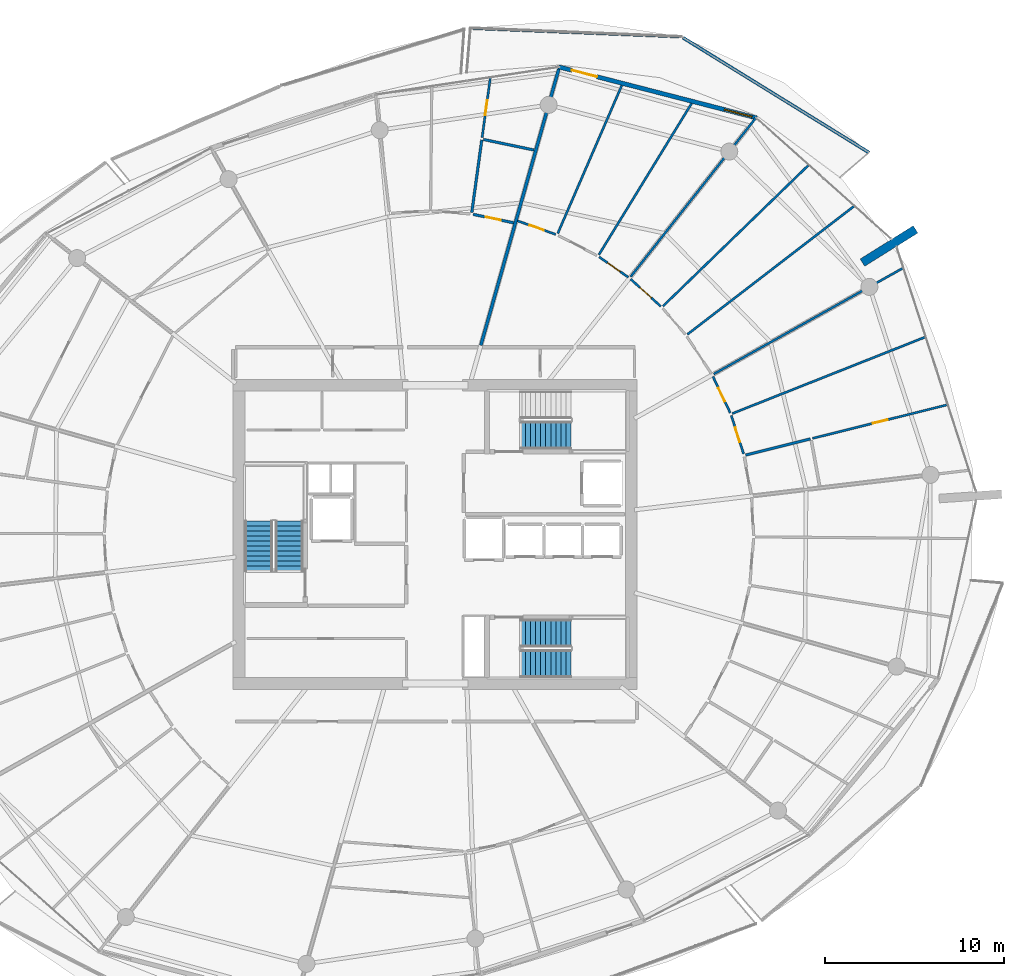
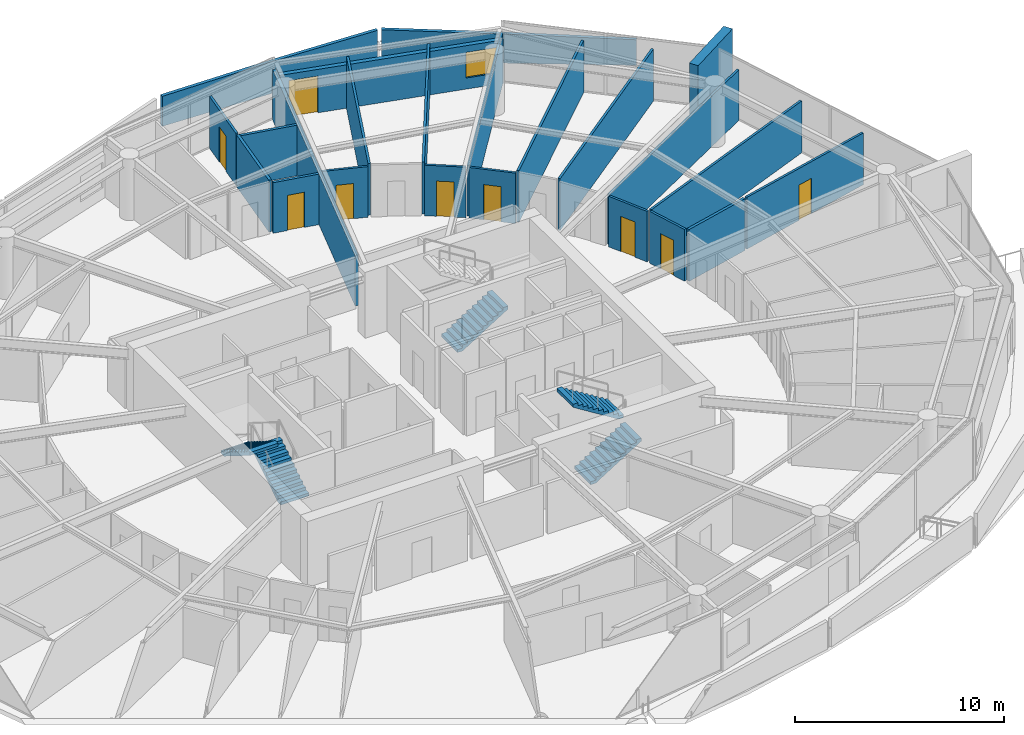
# One storey, part 22 of 30: 23 walls, 9 doors, 5 stair flights, 1 window, 10 openings, 3 elements without a shape of their own.
"""IFC4 building model written with IfcOpenShell, lengths in metres."""

from ifc_helpers import new_model, si_unit, direction, frame, frame_2d, origin, place, context, subcontext, project, spatial, polyline, rectangle, outline, extrude, material, layer, layer_set, type_object, element, fill, aggregate, save


model = new_model("IFC4")

# Units and contexts
model_context = context("Model", 3, precision=1e-05, world=origin(), true_north=direction((0.0, 1.0)))
body_context = subcontext(model_context, "Body", "Model", "MODEL_VIEW")
ifc_project = project(units=[si_unit("LENGTHUNIT", "METRE"), si_unit("AREAUNIT", "SQUARE_METRE"), si_unit("VOLUMEUNIT", "CUBIC_METRE"), si_unit("PLANEANGLEUNIT", "RADIAN"), si_unit("MASSUNIT", "GRAM", prefix="KILO")], contexts=[model_context])

# Site, building, storey
site_placement = place(None, origin())
site = spatial("IfcSite", under=ifc_project, at=site_placement, CompositionType="ELEMENT")
building_placement = place(site_placement, origin())
building = spatial("IfcBuilding", under=site, at=building_placement, Name="Kazma Halo Residences", CompositionType="ELEMENT")
storey_placement = place(building_placement, frame((0.0, 0.0, 255.949951171875)))
storey = spatial("IfcBuildingStorey", under=building, at=storey_placement, Name="L64", CompositionType="ELEMENT", Elevation=255.949951171875)

# Walls
ifc_material_1 = material(Name="White Concrete C50/60 Balustrade", Category="concrete")
ifc_layer_1 = layer(ifc_material_1, 0.179931640625)
ifc_layer_set_1 = layer_set([ifc_layer_1], Name="White Concrete C50/60 Balustrade")
wall_type_1 = type_object("IfcWallType", Name="WL-BAL-WAVE-180", PredefinedType="PARAPET", material=ifc_layer_set_1)
wall_1_placement = place(storey_placement, frame((72.651611328125, 63.31640625, 0.0), z_axis=(0.0, 0.0, 1.0), x_axis=(-0.850900796978, 0.52532640682, 0.0)))
element("IfcWall", 1, at=wall_1_placement, inside=storey, type_object=wall_type_1, Name="L64 white wave balustrade wall NE.1", PredefinedType="PARAPET", context=body_context, shape_type="SweptSolid", body=[
    extrude(outline(polyline([(0.0, 0.0), (12.208740234375, 0.0), (12.20849609375, 1.83203125), (6.104248046875, 1.696044921875), (0.0, 1.4970703125), (0.0, 0.0)])), frame((0.0, 0.08984375, 0.0), z_axis=(0.0, -1.0, 0.0), x_axis=(1.0, 0.0, 0.0)), (0.0, 0.0, 1.0), 0.179931640625),
])
wall_2_placement = place(storey_placement, frame((62.041259765625, 69.7978515625, 0.0), z_axis=(0.0, 0.0, 1.0), x_axis=(-0.999178647834, 0.040521965797, 0.0)))
element("IfcWall", 2, at=wall_2_placement, inside=storey, type_object=wall_type_1, Name="L64 white wave balustrade wall NE.2", PredefinedType="PARAPET", context=body_context, shape_type="SweptSolid", body=[
    extrude(outline(polyline([(0.0, 0.0), (11.652099609375, 0.0), (11.652099609375, 1.756103515625), (5.826171875, 1.85302734375), (0.0, 1.83203125), (0.0, 0.0)])), frame((0.0, 0.08984375, 0.0), z_axis=(0.0, -1.0, 0.0), x_axis=(1.0, 0.0, 0.0)), (0.0, 0.0, 1.0), 0.179931640625),
])
ifc_material_2 = material(Name="Pale Concrete C60/75", Category="concrete")
ifc_layer_2 = layer(ifc_material_2, 0.47998046875)
ifc_layer_set_2 = layer_set([ifc_layer_2], Name="Pale Concrete C60/75")
wall_type_2 = type_object("IfcWallType", Name="WL-BLADE-480", PredefinedType="SOLIDWALL", material=ifc_layer_set_2)
wall_3_placement = place(storey_placement, frame((72.281494140625, 57.172607421875, 0.0), z_axis=(0.0, 0.0, 1.0), x_axis=(0.848033572426, 0.529942506352, 0.0)))
element("IfcWall", 3, at=wall_3_placement, inside=storey, type_object=wall_type_2, Name="L64 pale concrete structural blade fin wall BW-01", PredefinedType="SOLIDWALL", context=body_context, shape_type="SweptSolid", body=[
    extrude(rectangle(XDim=3.5, YDim=0.47998046875, at=frame_2d((1.75, 0.0))), origin(), (0.0, 0.0, 1.0), 3.85009765625),
])
ifc_material_3 = material(Name="Acoustic Twin-Stud Gypsum")
ifc_layer_3 = layer(ifc_material_3, 0.179931640625)
ifc_layer_set_3 = layer_set([ifc_layer_3], Name="Acoustic Twin-Stud Gypsum")
wall_type_3 = type_object("IfcWallType", Name="WL-DEM-180", PredefinedType="PARTITIONING", material=ifc_layer_set_3)
wall_4_placement = place(storey_placement, frame((50.97705078125, 52.555908203125, 0.0), z_axis=(0.0, 0.0, 1.0), x_axis=(0.271442063103, 0.962454781472, 0.0)))
element("IfcWall", 4, at=wall_4_placement, inside=storey, type_object=wall_type_3, Name="L64 apartment demising radial wall 02", PredefinedType="PARTITIONING", context=body_context, shape_type="SweptSolid", body=[
    extrude(rectangle(XDim=16.016845703125, YDim=0.179931640625, at=frame_2d((8.00830078125, 0.0))), origin(), (0.0, 0.0, 1.0), 2.95703125),
])

# Wall, openings, door, window
ifc_material_4 = material(Name="Insulated Pale-Metal Composite Wall")
ifc_layer_4 = layer(ifc_material_4, 0.239990234375)
ifc_layer_set_4 = layer_set([ifc_layer_4], Name="Insulated Pale-Metal Composite Wall")
wall_type_4 = type_object("IfcWallType", Name="WL-EXT-HOST-240", PredefinedType="SOLIDWALL", material=ifc_layer_set_4)
wall_5_placement = place(storey_placement, frame((66.386474609375, 65.2490234375, 0.0), z_axis=(0.0, 0.0, 1.0), x_axis=(-0.968343758421, 0.249620442927, 0.0)))
wall_5 = element("IfcWall", 5, at=wall_5_placement, inside=storey, type_object=wall_type_4, Name="L64 exterior terrace-access wall B02", PredefinedType="SOLIDWALL", context=body_context, shape_type="SweptSolid", body=[
    extrude(rectangle(XDim=11.438232421875, YDim=0.239990234375, at=frame_2d((5.71923828125, 0.0))), origin(), (0.0, 0.0, 1.0), 2.5400390625),
])
opening_1_placement = place(wall_5_placement, frame((9.21826171875, 0.0, 0.0)))
opening_1 = element("IfcOpeningElement", 6, at=opening_1_placement, cuts=wall_5, Name="Opening DTR-1600", PredefinedType="OPENING", context=body_context, shape_type="SweptSolid", body=[
    extrude(rectangle(XDim=1.449951171875, YDim=2.14990234375, at=frame_2d((0.72509765625, 1.074951171875))), frame((0.0, 0.1298828125, 0.0), z_axis=(0.0, -1.0, 0.0), x_axis=(1.0, 0.0, 0.0)), (0.0, 0.0, 1.0), 0.260009765625),
])
opening_2_placement = place(wall_5_placement, frame((0.280029296875, 0.0, 0.64990234375)))
opening_2 = element("IfcOpeningElement", 7, at=opening_2_placement, cuts=wall_5, Name="Opening W-1800", PredefinedType="OPENING", context=body_context, shape_type="SweptSolid", body=[
    extrude(rectangle(XDim=1.60009765625, YDim=1.5, at=frame_2d((0.800048828125, 0.75))), frame((0.0, 0.1298828125, 0.0), z_axis=(0.0, -1.0, 0.0), x_axis=(1.0, 0.0, 0.0)), (0.0, 0.0, 1.0), 0.260009765625),
])
ifc_material_5 = material(Name="Aluminium AW-6063 T6 Double-Glazed Terrace Door", Category="aluminium")
door_type_1 = type_object("IfcDoorType", Name="DR-EXT-TERR-1600", OperationType="NOTDEFINED", PredefinedType="DOOR", material=ifc_material_5)
door_1_placement = place(opening_1_placement, origin())
door_1 = element("IfcDoor", 8, at=door_1_placement, inside=storey, type_object=door_type_1, Name="L64 B02 balcony terrace door", OperationType="DOUBLE_DOOR_SLIDING", OverallHeight=2.14990234375, OverallWidth=1.449951171875, PredefinedType="DOOR", context=body_context, shape_type="SweptSolid", body=[
    extrude(rectangle(XDim=1.449951171875, YDim=2.14990234375, at=frame_2d((0.72509765625, 1.074951171875))), frame((0.0, 0.02490234375, 0.0), z_axis=(0.0, -1.0, 0.0), x_axis=(1.0, 0.0, 0.0)), (0.0, 0.0, 1.0), 0.050048828125),
])
fill(opening_1, door_1)
ifc_material_6 = material(Name="Clear Triple-Silver Low-E Glass in Aluminium AW-6063 T6 Frame", Category="aluminium")
window_type = type_object("IfcWindowType", Name="WIN-RES-1800", PartitioningType="DOUBLE_PANEL_VERTICAL", PredefinedType="WINDOW", material=ifc_material_6)
window_placement = place(opening_2_placement, origin())
window = element("IfcWindow", 9, at=window_placement, inside=storey, type_object=window_type, Name="L64 B02 apartment window", OverallHeight=1.5, OverallWidth=1.60009765625, PartitioningType="SINGLE_PANEL", PredefinedType="WINDOW", context=body_context, shape_type="SweptSolid", body=[
    extrude(rectangle(XDim=1.60009765625, YDim=1.5, at=frame_2d((0.800048828125, 0.75))), frame((0.0, 0.030029296875, 0.0), z_axis=(0.0, -1.0, 0.0), x_axis=(1.0, 0.0, 0.0)), (0.0, 0.0, 1.0), 0.06005859375),
])
fill(opening_2, window)

# Wall, opening, door
ifc_material_7 = material(Name="Gypsum Plasterboard Partition")
ifc_layer_5 = layer(ifc_material_7, 0.125)
ifc_layer_set_5 = layer_set([ifc_layer_5], Name="Gypsum Plasterboard Partition")
wall_type_5 = type_object("IfcWallType", Name="WL-PART-125", PredefinedType="PARTITIONING", material=ifc_layer_set_5)
wall_6_placement = place(storey_placement, frame((51.046875, 64.155517578125, 0.0), z_axis=(0.0, 0.0, 1.0), x_axis=(0.13615601298, 0.990687407879, 0.0)))
wall_6 = element("IfcWall", 10, at=wall_6_placement, inside=storey, type_object=wall_type_5, Name="L64 Apartment 1 Household Store Room partition wall", PredefinedType="PARTITIONING", context=body_context, shape_type="SweptSolid", body=[
    extrude(rectangle(XDim=3.36376953125, YDim=0.125, at=frame_2d((1.681884765625, 0.0))), origin(), (0.0, 0.0, 1.0), 3.030029296875),
])
opening_3_placement = place(wall_6_placement, frame((1.2568359375, 0.0, 0.0)))
opening_3 = element("IfcOpeningElement", 11, at=opening_3_placement, cuts=wall_6, Name="Opening DB-900", PredefinedType="OPENING", context=body_context, shape_type="SweptSolid", body=[
    extrude(rectangle(XDim=0.85009765625, YDim=2.06005859375, at=frame_2d((0.425048828125, 1.030029296875))), frame((0.0, 0.072509765625, 0.0), z_axis=(0.0, -1.0, 0.0), x_axis=(1.0, 0.0, 0.0)), (0.0, 0.0, 1.0), 0.14501953125),
])
ifc_material_8 = material(Name="Moisture-Sealed Timber Leaf", Category="wood")
door_type_2 = type_object("IfcDoorType", Name="DR-BTH-900", OperationType="NOTDEFINED", PredefinedType="DOOR", material=ifc_material_8)
door_2_placement = place(opening_3_placement, origin())
door_2 = element("IfcDoor", 12, at=door_2_placement, inside=storey, type_object=door_type_2, Name="L64 Apartment 1 Household Store Room door", OperationType="SINGLE_SWING_RIGHT", OverallHeight=2.06005859375, OverallWidth=0.85009765625, PredefinedType="DOOR", context=body_context, shape_type="SweptSolid", body=[
    extrude(rectangle(XDim=0.85009765625, YDim=2.06005859375, at=frame_2d((0.425048828125, 1.030029296875))), frame((0.0, 0.02490234375, 0.0), z_axis=(0.0, -1.0, 0.0), x_axis=(1.0, 0.0, 0.0)), (0.0, 0.0, 1.0), 0.050048828125),
])
fill(opening_3, door_2)

wall_7_placement = place(storey_placement, frame((69.499267578125, 47.3583984375, 0.0), z_axis=(0.0, 0.0, 1.0), x_axis=(0.970319890445, 0.241824957783, 0.0)))
wall_7 = element("IfcWall", 13, at=wall_7_placement, inside=storey, type_object=wall_type_5, Name="L64 Apartment 3 Inner Walk-In Wardrobe partition wall", PredefinedType="PARTITIONING", context=body_context, shape_type="SweptSolid", body=[
    extrude(rectangle(XDim=7.760498046875, YDim=0.125, at=frame_2d((3.88037109375, 0.0))), origin(), (0.0, 0.0, 1.0), 3.030029296875),
])
opening_4_placement = place(wall_7_placement, frame((3.455322265625, 0.0, 0.0)))
opening_4 = element("IfcOpeningElement", 14, at=opening_4_placement, cuts=wall_7, Name="Opening DB-900", PredefinedType="OPENING", context=body_context, shape_type="SweptSolid", body=[
    extrude(rectangle(XDim=0.85009765625, YDim=2.06005859375, at=frame_2d((0.425048828125, 1.030029296875))), frame((0.0, 0.072509765625, 0.0), z_axis=(0.0, -1.0, 0.0), x_axis=(1.0, 0.0, 0.0)), (0.0, 0.0, 1.0), 0.14501953125),
])
door_3_placement = place(opening_4_placement, origin())
door_3 = element("IfcDoor", 15, at=door_3_placement, inside=storey, type_object=door_type_2, Name="L64 Apartment 3 Inner Walk-In Wardrobe door", OperationType="SINGLE_SWING_LEFT", OverallHeight=2.06005859375, OverallWidth=0.85009765625, PredefinedType="DOOR", context=body_context, shape_type="SweptSolid", body=[
    extrude(rectangle(XDim=0.85009765625, YDim=2.06005859375, at=frame_2d((0.425048828125, 1.030029296875))), frame((0.0, 0.02490234375, 0.0), z_axis=(0.0, -1.0, 0.0), x_axis=(1.0, 0.0, 0.0)), (0.0, 0.0, 1.0), 0.050048828125),
])
fill(opening_4, door_3)

# Wall
wall_8_placement = place(storey_placement, frame((65.018798828125, 48.74609375, 0.0), z_axis=(0.0, 0.0, 1.0), x_axis=(0.929633611817, 0.368485207003, 0.0)))
element("IfcWall", 16, at=wall_8_placement, inside=storey, type_object=wall_type_5, Name="L64 Apartment 3 suite divider 15", PredefinedType="PARTITIONING", context=body_context, shape_type="SweptSolid", body=[
    extrude(rectangle(XDim=11.597412109375, YDim=0.125, at=frame_2d((5.798828125, 0.0))), origin(), (0.0, 0.0, 1.0), 3.030029296875),
])

# Wall, opening, door
wall_9_placement = place(storey_placement, frame((65.648681640625, 46.4912109375, 0.0), z_axis=(0.0, 0.0, 1.0), x_axis=(-0.30574263326, 0.952114195991, 0.0)))
wall_9 = element("IfcWall", 17, at=wall_9_placement, inside=storey, type_object=wall_type_5, Name="L64 Apartment 3 Outer Formal Dining Room hall wall", PredefinedType="PARTITIONING", context=body_context, shape_type="SweptSolid", body=[
    extrude(rectangle(XDim=2.25341796875, YDim=0.125, at=frame_2d((1.126708984375, 0.0))), origin(), (0.0, 0.0, 1.0), 3.030029296875),
])
opening_5_placement = place(wall_9_placement, frame((0.70166015625, 0.0, 0.0)))
opening_5 = element("IfcOpeningElement", 18, at=opening_5_placement, cuts=wall_9, Name="Opening DB-900", PredefinedType="OPENING", context=body_context, shape_type="SweptSolid", body=[
    extrude(rectangle(XDim=0.85009765625, YDim=2.06005859375, at=frame_2d((0.425048828125, 1.030029296875))), frame((0.0, 0.072509765625, 0.0), z_axis=(0.0, -1.0, 0.0), x_axis=(1.0, 0.0, 0.0)), (0.0, 0.0, 1.0), 0.14501953125),
])
door_4_placement = place(opening_5_placement, origin())
door_4 = element("IfcDoor", 19, at=door_4_placement, inside=storey, type_object=door_type_2, Name="L64 Apartment 3 Outer Formal Dining Room door", OperationType="SINGLE_SWING_RIGHT", OverallHeight=2.06005859375, OverallWidth=0.85009765625, PredefinedType="DOOR", context=body_context, shape_type="SweptSolid", body=[
    extrude(rectangle(XDim=0.85009765625, YDim=2.06005859375, at=frame_2d((0.425048828125, 1.030029296875))), frame((0.0, 0.02490234375, 0.0), z_axis=(0.0, -1.0, 0.0), x_axis=(1.0, 0.0, 0.0)), (0.0, 0.0, 1.0), 0.050048828125),
])
fill(opening_5, door_4)

wall_10_placement = place(storey_placement, frame((64.900634765625, 48.784912109375, 0.0), z_axis=(0.0, 0.0, 1.0), x_axis=(-0.429451921588, 0.903089722588, 0.0)))
wall_10 = element("IfcWall", 20, at=wall_10_placement, inside=storey, type_object=wall_type_5, Name="L64 Apartment 3 Corner Master Bedroom hall wall", PredefinedType="PARTITIONING", context=body_context, shape_type="SweptSolid", body=[
    extrude(rectangle(XDim=2.2431640625, YDim=0.125, at=frame_2d((1.12158203125, 0.0))), origin(), (0.0, 0.0, 1.0), 2.95703125),
])
opening_6_placement = place(wall_10_placement, frame((0.69677734375, 0.0, 0.0)))
opening_6 = element("IfcOpeningElement", 21, at=opening_6_placement, cuts=wall_10, Name="Opening DB-900", PredefinedType="OPENING", context=body_context, shape_type="SweptSolid", body=[
    extrude(rectangle(XDim=0.85009765625, YDim=2.06005859375, at=frame_2d((0.425048828125, 1.030029296875))), frame((0.0, 0.072509765625, 0.0), z_axis=(0.0, -1.0, 0.0), x_axis=(1.0, 0.0, 0.0)), (0.0, 0.0, 1.0), 0.14501953125),
])
door_5_placement = place(opening_6_placement, origin())
door_5 = element("IfcDoor", 22, at=door_5_placement, inside=storey, type_object=door_type_2, Name="L64 Apartment 3 Corner Master Bedroom door", OperationType="SINGLE_SWING_LEFT", OverallHeight=2.06005859375, OverallWidth=0.85009765625, PredefinedType="DOOR", context=body_context, shape_type="SweptSolid", body=[
    extrude(rectangle(XDim=0.85009765625, YDim=2.06005859375, at=frame_2d((0.425048828125, 1.030029296875))), frame((0.0, 0.02490234375, 0.0), z_axis=(0.0, -1.0, 0.0), x_axis=(1.0, 0.0, 0.0)), (0.0, 0.0, 1.0), 0.050048828125),
])
fill(opening_6, door_5)

# Walls
wall_11_placement = place(storey_placement, frame((63.9814453125, 50.9501953125, 0.0), z_axis=(0.0, 0.0, 1.0), x_axis=(0.872499829235, 0.488614416473, 0.0)))
element("IfcWall", 23, at=wall_11_placement, inside=storey, type_object=wall_type_5, Name="L64 Apartment 3 radial partition 0", PredefinedType="PARTITIONING", context=body_context, shape_type="SweptSolid", body=[
    extrude(rectangle(XDim=12.11279296875, YDim=0.125, at=frame_2d((6.056396484375, 0.0))), origin(), (0.0, 0.0, 1.0), 2.95703125),
])
wall_12_placement = place(storey_placement, frame((62.50927734375, 53.16357421875, 0.0), z_axis=(0.0, 0.0, 1.0), x_axis=(0.792562111758, 0.609791192955, 0.0)))
element("IfcWall", 24, at=wall_12_placement, inside=storey, type_object=wall_type_5, Name="L64 Apartment 3 bay wall 1 0", PredefinedType="PARTITIONING", context=body_context, shape_type="SweptSolid", body=[
    extrude(rectangle(XDim=11.73486328125, YDim=0.125, at=frame_2d((5.867431640625, 0.0))), origin(), (0.0, 0.0, 1.0), 3.030029296875),
])
wall_13_placement = place(storey_placement, frame((61.146728515625, 54.739990234375, 0.0), z_axis=(0.0, 0.0, 1.0), x_axis=(0.718123814737, 0.695915358868, 0.0)))
element("IfcWall", 25, at=wall_13_placement, inside=storey, type_object=wall_type_5, Name="L64 Apartment 3 bay wall 2 0", PredefinedType="PARTITIONING", context=body_context, shape_type="SweptSolid", body=[
    extrude(rectangle(XDim=11.301025390625, YDim=0.125, at=frame_2d((5.650390625, 0.0))), origin(), (0.0, 0.0, 1.0), 3.030029296875),
])

# Wall, opening, door
wall_14_placement = place(storey_placement, frame((61.022705078125, 54.73095703125, 0.0), z_axis=(0.0, 0.0, 1.0), x_axis=(-0.742261355739, 0.670110498184, 0.0)))
wall_14 = element("IfcWall", 26, at=wall_14_placement, inside=storey, type_object=wall_type_5, Name="L64 Apartment 3 Secondary Bedroom hall wall", PredefinedType="PARTITIONING", context=body_context, shape_type="SweptSolid", body=[
    extrude(rectangle(XDim=2.2705078125, YDim=0.125, at=frame_2d((1.13525390625, 0.0))), origin(), (0.0, 0.0, 1.0), 2.95703125),
])
opening_7_placement = place(wall_14_placement, frame((0.710205078125, 0.0, 0.0)))
opening_7 = element("IfcOpeningElement", 27, at=opening_7_placement, cuts=wall_14, Name="Opening DB-900", PredefinedType="OPENING", context=body_context, shape_type="SweptSolid", body=[
    extrude(rectangle(XDim=0.85009765625, YDim=2.06005859375, at=frame_2d((0.425048828125, 1.030029296875))), frame((0.0, 0.072509765625, 0.0), z_axis=(0.0, -1.0, 0.0), x_axis=(1.0, 0.0, 0.0)), (0.0, 0.0, 1.0), 0.14501953125),
])
door_6_placement = place(opening_7_placement, origin())
door_6 = element("IfcDoor", 28, at=door_6_placement, inside=storey, type_object=door_type_2, Name="L64 Apartment 3 Secondary Bedroom door", OperationType="SINGLE_SWING_RIGHT", OverallHeight=2.06005859375, OverallWidth=0.85009765625, PredefinedType="DOOR", context=body_context, shape_type="SweptSolid", body=[
    extrude(rectangle(XDim=0.85009765625, YDim=2.06005859375, at=frame_2d((0.425048828125, 1.030029296875))), frame((0.0, 0.02490234375, 0.0), z_axis=(0.0, -1.0, 0.0), x_axis=(1.0, 0.0, 0.0)), (0.0, 0.0, 1.0), 0.050048828125),
])
fill(opening_7, door_6)

# Walls
wall_15_placement = place(storey_placement, frame((59.33984375, 56.384521484375, 0.0), z_axis=(0.0, 0.0, 1.0), x_axis=(0.619096007185, 0.785315308579, 0.0)))
element("IfcWall", 29, at=wall_15_placement, inside=storey, type_object=wall_type_5, Name="L64 Apartment 3 radial partition 1", PredefinedType="PARTITIONING", context=body_context, shape_type="SweptSolid", body=[
    extrude(rectangle(XDim=11.27880859375, YDim=0.125, at=frame_2d((5.639404296875, 0.0))), origin(), (0.0, 0.0, 1.0), 2.95703125),
])
wall_16_placement = place(storey_placement, frame((57.5654296875, 57.609130859375, 0.0), z_axis=(0.0, 0.0, 1.0), x_axis=(0.522482381921, 0.852650080972, 0.0)))
element("IfcWall", 30, at=wall_16_placement, inside=storey, type_object=wall_type_5, Name="L64 Apartment 3 bay wall 1 1", PredefinedType="PARTITIONING", context=body_context, shape_type="SweptSolid", body=[
    extrude(rectangle(XDim=9.916015625, YDim=0.125, at=frame_2d((4.9580078125, 0.0))), origin(), (0.0, 0.0, 1.0), 3.030029296875),
])
wall_17_placement = place(storey_placement, frame((55.2705078125, 58.80126953125, 0.0), z_axis=(0.0, 0.0, 1.0), x_axis=(0.397153136179, 0.917752355716, 0.0)))
element("IfcWall", 31, at=wall_17_placement, inside=storey, type_object=wall_type_5, Name="L64 Apartment 3 bay wall 2 1", PredefinedType="PARTITIONING", context=body_context, shape_type="SweptSolid", body=[
    extrude(rectangle(XDim=9.00439453125, YDim=0.125, at=frame_2d((4.502197265625, 0.0))), origin(), (0.0, 0.0, 1.0), 3.030029296875),
])

# Wall, opening, door
wall_18_placement = place(storey_placement, frame((59.21240234375, 56.351806640625, 0.0), z_axis=(0.0, 0.0, 1.0), x_axis=(-0.820385927757, 0.571810221611, 0.0)))
wall_18 = element("IfcWall", 32, at=wall_18_placement, inside=storey, type_object=wall_type_5, Name="L64 Apartment 3 North Bedroom hall wall", PredefinedType="PARTITIONING", context=body_context, shape_type="SweptSolid", body=[
    extrude(rectangle(XDim=1.98486328125, YDim=0.125, at=frame_2d((0.992431640625, 0.0))), origin(), (0.0, 0.0, 1.0), 2.95703125),
])
opening_8_placement = place(wall_18_placement, frame((0.5673828125, 0.0, 0.0)))
opening_8 = element("IfcOpeningElement", 33, at=opening_8_placement, cuts=wall_18, Name="Opening DB-900", PredefinedType="OPENING", context=body_context, shape_type="SweptSolid", body=[
    extrude(rectangle(XDim=0.85009765625, YDim=2.06005859375, at=frame_2d((0.425048828125, 1.030029296875))), frame((0.0, 0.072509765625, 0.0), z_axis=(0.0, -1.0, 0.0), x_axis=(1.0, 0.0, 0.0)), (0.0, 0.0, 1.0), 0.14501953125),
])
door_7_placement = place(opening_8_placement, origin())
door_7 = element("IfcDoor", 34, at=door_7_placement, inside=storey, type_object=door_type_2, Name="L64 Apartment 3 North Bedroom door", OperationType="SINGLE_SWING_LEFT", OverallHeight=2.06005859375, OverallWidth=0.85009765625, PredefinedType="DOOR", context=body_context, shape_type="SweptSolid", body=[
    extrude(rectangle(XDim=0.85009765625, YDim=2.06005859375, at=frame_2d((0.425048828125, 1.030029296875))), frame((0.0, 0.02490234375, 0.0), z_axis=(0.0, -1.0, 0.0), x_axis=(1.0, 0.0, 0.0)), (0.0, 0.0, 1.0), 0.050048828125),
])
fill(opening_8, door_7)

wall_19_placement = place(storey_placement, frame((55.159423828125, 58.74560546875, 0.0), z_axis=(0.0, 0.0, 1.0), x_axis=(-0.942227512781, 0.334973602181, 0.0)))
wall_19 = element("IfcWall", 35, at=wall_19_placement, inside=storey, type_object=wall_type_5, Name="L64 Apartment 3 Inner Bedroom hall wall", PredefinedType="PARTITIONING", context=body_context, shape_type="SweptSolid", body=[
    extrude(rectangle(XDim=2.270263671875, YDim=0.125, at=frame_2d((1.13525390625, 0.0))), origin(), (0.0, 0.0, 1.0), 2.95703125),
])
opening_9_placement = place(wall_19_placement, frame((0.710205078125, 0.0, 0.0)))
opening_9 = element("IfcOpeningElement", 36, at=opening_9_placement, cuts=wall_19, Name="Opening DB-900", PredefinedType="OPENING", context=body_context, shape_type="SweptSolid", body=[
    extrude(rectangle(XDim=0.85009765625, YDim=2.06005859375, at=frame_2d((0.425048828125, 1.030029296875))), frame((0.0, 0.072509765625, 0.0), z_axis=(0.0, -1.0, 0.0), x_axis=(1.0, 0.0, 0.0)), (0.0, 0.0, 1.0), 0.14501953125),
])
door_8_placement = place(opening_9_placement, origin())
door_8 = element("IfcDoor", 37, at=door_8_placement, inside=storey, type_object=door_type_2, Name="L64 Apartment 3 Inner Bedroom door", OperationType="SINGLE_SWING_LEFT", OverallHeight=2.06005859375, OverallWidth=0.85009765625, PredefinedType="DOOR", context=body_context, shape_type="SweptSolid", body=[
    extrude(rectangle(XDim=0.85009765625, YDim=2.06005859375, at=frame_2d((0.425048828125, 1.030029296875))), frame((0.0, 0.02490234375, 0.0), z_axis=(0.0, -1.0, 0.0), x_axis=(1.0, 0.0, 0.0)), (0.0, 0.0, 1.0), 0.050048828125),
])
fill(opening_9, door_8)

ifc_material_9 = material(Name="Moisture-Resistant Gypsum")
ifc_layer_6 = layer(ifc_material_9, 0.14990234375)
ifc_layer_set_6 = layer_set([ifc_layer_6], Name="Moisture-Resistant Gypsum")
wall_type_6 = type_object("IfcWallType", Name="WL-WET-150", PredefinedType="PARTITIONING", material=ifc_layer_set_6)
wall_20_placement = place(storey_placement, frame((52.802734375, 59.396484375, 0.0), z_axis=(0.0, 0.0, 1.0), x_axis=(-0.978903645483, 0.204322423784, 0.0)))
wall_20 = element("IfcWall", 38, at=wall_20_placement, inside=storey, type_object=wall_type_6, Name="L64 Apartment 1 Guest Bathroom hall wall", PredefinedType="PARTITIONING", context=body_context, shape_type="SweptSolid", body=[
    extrude(rectangle(XDim=2.3037109375, YDim=0.14990234375, at=frame_2d((1.15185546875, 0.0))), origin(), (0.0, 0.0, 1.0), 2.95703125),
])
opening_10_placement = place(wall_20_placement, frame((0.726806640625, 0.0, 0.0)))
opening_10 = element("IfcOpeningElement", 39, at=opening_10_placement, cuts=wall_20, Name="Opening DB-900", PredefinedType="OPENING", context=body_context, shape_type="SweptSolid", body=[
    extrude(rectangle(XDim=0.85009765625, YDim=2.06005859375, at=frame_2d((0.425048828125, 1.030029296875))), frame((0.0, 0.0849609375, 0.0), z_axis=(0.0, -1.0, 0.0), x_axis=(1.0, 0.0, 0.0)), (0.0, 0.0, 1.0), 0.169921875),
])
door_9_placement = place(opening_10_placement, origin())
door_9 = element("IfcDoor", 40, at=door_9_placement, inside=storey, type_object=door_type_2, Name="L64 Apartment 1 Guest Bathroom door", OperationType="SINGLE_SWING_LEFT", OverallHeight=2.06005859375, OverallWidth=0.85009765625, PredefinedType="DOOR", context=body_context, shape_type="SweptSolid", body=[
    extrude(rectangle(XDim=0.85009765625, YDim=2.06005859375, at=frame_2d((0.425048828125, 1.030029296875))), frame((0.0, 0.02490234375, 0.0), z_axis=(0.0, -1.0, 0.0), x_axis=(1.0, 0.0, 0.0)), (0.0, 0.0, 1.0), 0.050048828125),
])
fill(opening_10, door_9)

# Walls
wall_21_placement = place(storey_placement, frame((53.9482421875, 63.4580078125, 0.0), z_axis=(0.0, 0.0, 1.0), x_axis=(-0.978900129076, 0.204339270075, 0.0)))
element("IfcWall", 41, at=wall_21_placement, inside=storey, type_object=wall_type_6, Name="L64 Apartment 1 Guest Bathroom back wall", PredefinedType="PARTITIONING", context=body_context, shape_type="SweptSolid", body=[
    extrude(rectangle(XDim=2.886474609375, YDim=0.14990234375, at=frame_2d((1.443359375, 0.0))), origin(), (0.0, 0.0, 1.0), 2.95703125),
])
wall_22_placement = place(storey_placement, frame((50.471923828125, 59.974853515625, 0.0), z_axis=(0.0, 0.0, 1.0), x_axis=(0.136221269786, 0.990678437061, 0.0)))
element("IfcWall", 42, at=wall_22_placement, inside=storey, type_object=wall_type_6, Name="L64 Apartment 1 Guest Bathroom side wall", PredefinedType="PARTITIONING", context=body_context, shape_type="SweptSolid", body=[
    extrude(rectangle(XDim=4.08984375, YDim=0.14990234375, at=frame_2d((2.044921875, 0.0))), origin(), (0.0, 0.0, 1.0), 3.030029296875),
])
wall_23_placement = place(storey_placement, frame((65.763671875, 46.42724609375, 0.0), z_axis=(0.0, 0.0, 1.0), x_axis=(0.970315973529, 0.241840673822, 0.0)))
element("IfcWall", 43, at=wall_23_placement, inside=storey, type_object=wall_type_6, Name="L64 Apartment 3 South En-Suite Bathroom side wall", PredefinedType="PARTITIONING", context=body_context, shape_type="SweptSolid", body=[
    extrude(rectangle(XDim=3.719970703125, YDim=0.14990234375, at=frame_2d((1.85986328125, 0.0))), origin(), (0.0, 0.0, 1.0), 3.030029296875),
])

# Stair, stair flights
ifc_material_10 = material(Name="Concrete C50/60", Category="concrete")
stair_type = type_object("IfcStairType", Name="STR-RES2", PredefinedType="HALF_TURN_STAIR", material=ifc_material_10)
stair_1_placement = place(storey_placement, origin())
stair_1 = element("IfcStair", 44, at=stair_1_placement, inside=storey, type_object=stair_type, Name="L64 Core exit stair ST-01", PredefinedType="HALF_TURN_STAIR")
stair_flight_type = type_object("IfcStairFlightType", Name="STR-RES2-FLT", PredefinedType="STRAIGHT", material=ifc_material_10)
stair_flight_1_placement = place(storey_placement, frame((40.27490234375, 39.949951171875, 0.0), z_axis=(0.0, 0.0, 1.0), x_axis=(0.0, 1.0, 0.0)))
stair_flight_1 = element("IfcStairFlight", 45, at=stair_flight_1_placement, type_object=stair_flight_type, Name="ST-01 flight 1", NumberOfRisers=11, NumberOfTreads=10, PredefinedType="STRAIGHT", RiserHeight=0.175, TreadLength=0.28, context=body_context, shape_type="SweptSolid", body=[
    extrude(outline(polyline([(0.0, 0.0), (0.0, 0.175048828125), (0.280029296875, 0.175048828125), (0.280029296875, 0.35009765625), (0.56005859375, 0.35009765625), (0.56005859375, 0.52490234375), (0.840087890625, 0.52490234375), (0.840087890625, 0.699951171875), (1.1201171875, 0.699951171875), (1.1201171875, 0.875), (1.39990234375, 0.875), (1.39990234375, 1.050048828125), (1.679931640625, 1.050048828125), (1.679931640625, 1.22509765625), (1.9599609375, 1.22509765625), (1.9599609375, 1.39990234375), (2.239990234375, 1.39990234375), (2.239990234375, 1.574951171875), (2.52001953125, 1.574951171875), (2.52001953125, 1.75), (2.800048828125, 1.75), (2.800048828125, 1.925048828125), (2.800048828125, 1.5732421875), (0.28271484375, 0.0), (0.0, 0.0)])), frame((0.0, 0.77490234375, 0.0), z_axis=(0.0, -1.0, 0.0), x_axis=(1.0, 0.0, 0.0)), (0.0, 0.0, 1.0), 1.550048828125),
])
stair_flight_2_placement = place(storey_placement, frame((38.574951171875, 42.75, 1.925048828125), z_axis=(0.0, 0.0, 1.0), x_axis=(0.0, -1.0, 0.0)))
stair_flight_2 = element("IfcStairFlight", 46, at=stair_flight_2_placement, type_object=stair_flight_type, Name="ST-01 flight 2", NumberOfRisers=11, NumberOfTreads=10, PredefinedType="STRAIGHT", RiserHeight=0.175, TreadLength=0.28, context=body_context, shape_type="SweptSolid", body=[
    extrude(outline(polyline([(0.0, 0.0), (0.0, 0.175048828125), (0.280029296875, 0.175048828125), (0.280029296875, 0.35009765625), (0.56005859375, 0.35009765625), (0.56005859375, 0.52490234375), (0.840087890625, 0.52490234375), (0.840087890625, 0.699951171875), (1.1201171875, 0.699951171875), (1.1201171875, 0.875), (1.39990234375, 0.875), (1.39990234375, 1.050048828125), (1.679931640625, 1.050048828125), (1.679931640625, 1.22509765625), (1.9599609375, 1.22509765625), (1.9599609375, 1.39990234375), (2.239990234375, 1.39990234375), (2.239990234375, 1.574951171875), (2.52001953125, 1.574951171875), (2.52001953125, 1.75), (2.800048828125, 1.75), (2.800048828125, 1.925048828125), (2.800048828125, 1.5732421875), (0.28271484375, 0.0), (0.0, 0.0)])), frame((0.0, 0.77490234375, 0.0), z_axis=(0.0, -1.0, 0.0), x_axis=(1.0, 0.0, 0.0)), (0.0, 0.0, 1.0), 1.550048828125),
])
aggregate(stair_1, [stair_flight_1, stair_flight_2])

# Stair, stair flight
stair_2_placement = place(storey_placement, origin())
stair_2 = element("IfcStair", 47, at=stair_2_placement, inside=storey, type_object=stair_type, Name="L64 Core exit stair ST-02", PredefinedType="HALF_TURN_STAIR")
stair_flight_3_placement = place(storey_placement, frame((53.199951171875, 47.52490234375, 0.0), z_axis=(0.0, 0.0, 1.0), x_axis=(1.0, 0.0, 0.0)))
stair_flight_3 = element("IfcStairFlight", 48, at=stair_flight_3_placement, type_object=stair_flight_type, Name="ST-02 flight 1", NumberOfRisers=11, NumberOfTreads=10, PredefinedType="STRAIGHT", RiserHeight=0.175, TreadLength=0.28, context=body_context, shape_type="SweptSolid", body=[
    extrude(outline(polyline([(0.0, 0.0), (0.0, 0.175048828125), (0.280029296875, 0.175048828125), (0.280029296875, 0.35009765625), (0.56005859375, 0.35009765625), (0.56005859375, 0.52490234375), (0.840087890625, 0.52490234375), (0.840087890625, 0.699951171875), (1.1201171875, 0.699951171875), (1.1201171875, 0.875), (1.39990234375, 0.875), (1.39990234375, 1.050048828125), (1.679931640625, 1.050048828125), (1.679931640625, 1.22509765625), (1.9599609375, 1.22509765625), (1.9599609375, 1.39990234375), (2.239990234375, 1.39990234375), (2.239990234375, 1.574951171875), (2.52001953125, 1.574951171875), (2.52001953125, 1.75), (2.800048828125, 1.75), (2.800048828125, 1.925048828125), (2.800048828125, 1.5732421875), (0.28271484375, 0.0), (0.0, 0.0)])), frame((0.0, 0.77490234375, 0.0), z_axis=(0.0, -1.0, 0.0), x_axis=(1.0, 0.0, 0.0)), (0.0, 0.0, 1.0), 1.550048828125),
])
aggregate(stair_2, [stair_flight_3])

# Stair, stair flights
stair_3_placement = place(storey_placement, origin())
stair_3 = element("IfcStair", 49, at=stair_3_placement, inside=storey, type_object=stair_type, Name="L64 Core exit stair ST-03", PredefinedType="HALF_TURN_STAIR")
stair_flight_4_placement = place(storey_placement, frame((53.199951171875, 34.77490234375, 0.0), z_axis=(0.0, 0.0, 1.0), x_axis=(1.0, 0.0, 0.0)))
stair_flight_4 = element("IfcStairFlight", 50, at=stair_flight_4_placement, type_object=stair_flight_type, Name="ST-03 flight 1", NumberOfRisers=11, NumberOfTreads=10, PredefinedType="STRAIGHT", RiserHeight=0.175, TreadLength=0.28, context=body_context, shape_type="SweptSolid", body=[
    extrude(outline(polyline([(0.0, 0.0), (0.0, 0.175048828125), (0.280029296875, 0.175048828125), (0.280029296875, 0.35009765625), (0.56005859375, 0.35009765625), (0.56005859375, 0.52490234375), (0.840087890625, 0.52490234375), (0.840087890625, 0.699951171875), (1.1201171875, 0.699951171875), (1.1201171875, 0.875), (1.39990234375, 0.875), (1.39990234375, 1.050048828125), (1.679931640625, 1.050048828125), (1.679931640625, 1.22509765625), (1.9599609375, 1.22509765625), (1.9599609375, 1.39990234375), (2.239990234375, 1.39990234375), (2.239990234375, 1.574951171875), (2.52001953125, 1.574951171875), (2.52001953125, 1.75), (2.800048828125, 1.75), (2.800048828125, 1.925048828125), (2.800048828125, 1.5732421875), (0.28271484375, 0.0), (0.0, 0.0)])), frame((0.0, 0.77490234375, 0.0), z_axis=(0.0, -1.0, 0.0), x_axis=(1.0, 0.0, 0.0)), (0.0, 0.0, 1.0), 1.550048828125),
])
stair_flight_5_placement = place(storey_placement, frame((56.0, 36.47509765625, 1.925048828125), z_axis=(0.0, 0.0, 1.0), x_axis=(-1.0, 0.0, 0.0)))
stair_flight_5 = element("IfcStairFlight", 51, at=stair_flight_5_placement, type_object=stair_flight_type, Name="ST-03 flight 2", NumberOfRisers=11, NumberOfTreads=10, PredefinedType="STRAIGHT", RiserHeight=0.175, TreadLength=0.28, context=body_context, shape_type="SweptSolid", body=[
    extrude(outline(polyline([(0.0, 0.0), (0.0, 0.175048828125), (0.280029296875, 0.175048828125), (0.280029296875, 0.35009765625), (0.56005859375, 0.35009765625), (0.56005859375, 0.52490234375), (0.840087890625, 0.52490234375), (0.840087890625, 0.699951171875), (1.1201171875, 0.699951171875), (1.1201171875, 0.875), (1.39990234375, 0.875), (1.39990234375, 1.050048828125), (1.679931640625, 1.050048828125), (1.679931640625, 1.22509765625), (1.9599609375, 1.22509765625), (1.9599609375, 1.39990234375), (2.239990234375, 1.39990234375), (2.239990234375, 1.574951171875), (2.52001953125, 1.574951171875), (2.52001953125, 1.75), (2.800048828125, 1.75), (2.800048828125, 1.925048828125), (2.800048828125, 1.5732421875), (0.28271484375, 0.0), (0.0, 0.0)])), frame((0.0, 0.77490234375, 0.0), z_axis=(0.0, -1.0, 0.0), x_axis=(1.0, 0.0, 0.0)), (0.0, 0.0, 1.0), 1.550048828125),
])
aggregate(stair_3, [stair_flight_4, stair_flight_5])

save(model, "model.ifc")
